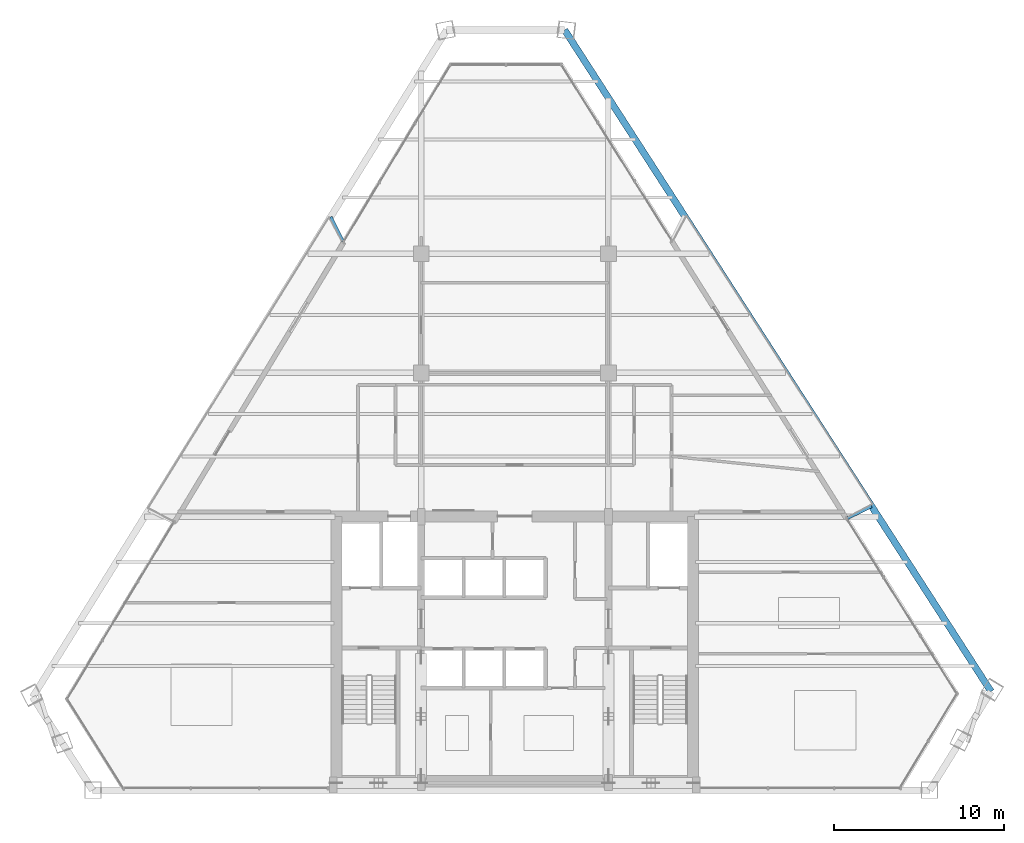
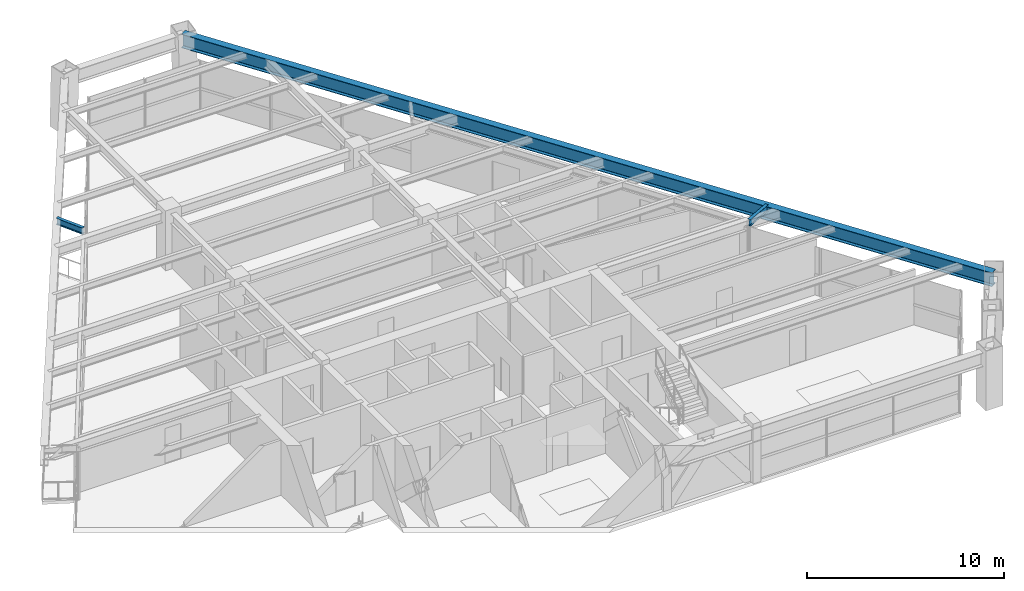
# One storey, part 5 of 12: 3 beams.
"""IFC4 building model written with IfcOpenShell, lengths in metres."""

from ifc_helpers import new_model, si_unit, direction, frame, origin, origin_2d, place, context, subcontext, project, spatial, i_section, extrude, source, transform, mapped, material, material_profile, profile_set, type_object, element, save


model = new_model("IFC4")

# Units and contexts
model_context = context("Model", 3, precision=1e-05, world=origin(), true_north=direction((0.0, 1.0)))
body_context = subcontext(model_context, "Body", "Model", "MODEL_VIEW")
ifc_project = project(units=[si_unit("LENGTHUNIT", "METRE"), si_unit("AREAUNIT", "SQUARE_METRE"), si_unit("VOLUMEUNIT", "CUBIC_METRE"), si_unit("PLANEANGLEUNIT", "RADIAN"), si_unit("MASSUNIT", "GRAM", prefix="KILO")], contexts=[model_context])

# Site, building, storey
site_placement = place(None, origin())
site = spatial("IfcSite", under=ifc_project, at=site_placement, CompositionType="ELEMENT")
building_placement = place(site_placement, origin())
building = spatial("IfcBuilding", under=site, at=building_placement, Name="Varnakhor Terracotta Tower", CompositionType="ELEMENT")
storey_placement = place(building_placement, frame((0.0, 0.0, 211.699951171875)))
storey = spatial("IfcBuildingStorey", under=building, at=storey_placement, Name="L54", CompositionType="ELEMENT", Elevation=211.699951171875)

# Beams
ifc_material = material(Name="Steel S355", Category="steel")
ifc_material_profile_1 = material_profile(ifc_material, i_section(OverallWidth=0.39990234375, OverallDepth=0.85498046875, WebThickness=0.01806640625, FlangeThickness=0.029052734375, FilletRadius=0.01806640625, at=origin_2d()), Name="W33X201")
ifc_profile_set_1 = profile_set([ifc_material_profile_1], Name="Steel S355")
beam_type_1 = type_object("IfcBeamType", Name="BM-W33X201", PredefinedType="BEAM", material=ifc_profile_set_1)
shared_shape_1 = source(origin(), body_context, "Body", "SweptSolid", [
    extrude(i_section(OverallWidth=0.39990234375, OverallDepth=0.85498046875, WebThickness=0.01806640625, FlangeThickness=0.029052734375, FilletRadius=0.01806640625, at=origin_2d()), origin(), (0.0, 0.0, 1.0), 46.21630859375),
])
beam_1_placement = place(storey_placement, frame((27.9658203125, 5.791015625, 2.992431640625), z_axis=(-0.541748278785, 0.840540779756, 0.0), x_axis=(-0.840540779756, -0.541748278785, 0.0)))
element("IfcBeam", 1, at=beam_1_placement, inside=storey, type_object=beam_type_1, Name="L54 Perimeter Spandrel 4", PredefinedType="BEAM", context=body_context, shape_type="MappedRepresentation", body=[
    mapped(shared_shape_1, transform((0.0, 0.0, 0.0), scale=1.0)),
])
ifc_material_profile_2 = material_profile(ifc_material, i_section(OverallWidth=0.179931640625, OverallDepth=0.39990234375, WebThickness=0.008544921875, FlangeThickness=0.013427734375, FilletRadius=0.01806640625, at=origin_2d()), Name="IPE400")
ifc_profile_set_2 = profile_set([ifc_material_profile_2], Name="Steel S355")
beam_type_2 = type_object("IfcBeamType", Name="JST-IPE400", PredefinedType="JOIST", material=ifc_profile_set_2)
shared_shape_2 = source(origin(), body_context, "Body", "SweptSolid", [
    extrude(i_section(OverallWidth=0.179931640625, OverallDepth=0.39990234375, WebThickness=0.008544921875, FlangeThickness=0.013427734375, FilletRadius=0.01806640625, at=origin_2d()), origin(), (0.0, 0.0, 1.0), 1.633056640625),
])
beam_2_placement = place(storey_placement, frame((19.487060546875, 15.952880859375, 3.219970703125), z_axis=(0.899042684794, 0.437860994972, 0.0), x_axis=(-0.437860994972, 0.899042684794, 0.0)))
element("IfcBeam", 2, at=beam_2_placement, inside=storey, type_object=beam_type_2, Name="L55 E Loggia Tie Beam 2", PredefinedType="JOIST", context=body_context, shape_type="MappedRepresentation", body=[
    mapped(shared_shape_2, transform((0.0, 0.0, 0.0), scale=1.0)),
])
shared_shape_3 = source(origin(), body_context, "Body", "SweptSolid", [
    extrude(i_section(OverallWidth=0.179931640625, OverallDepth=0.39990234375, WebThickness=0.008544921875, FlangeThickness=0.013427734375, FilletRadius=0.01806640625, at=origin_2d()), origin(), (0.0, 0.0, 1.0), 1.614990234375),
])
beam_3_placement = place(storey_placement, frame((-10.083740234375, 32.224609375, 3.219970703125), z_axis=(-0.447032173177, 0.894517879164, 0.0), x_axis=(-0.894517879164, -0.447032173177, 0.0)))
element("IfcBeam", 3, at=beam_3_placement, inside=storey, type_object=beam_type_2, Name="L55 W Loggia Tie Beam 2", PredefinedType="JOIST", context=body_context, shape_type="MappedRepresentation", body=[
    mapped(shared_shape_3, transform((0.0, 0.0, 0.0), scale=1.0)),
])

save(model, "model.ifc")
